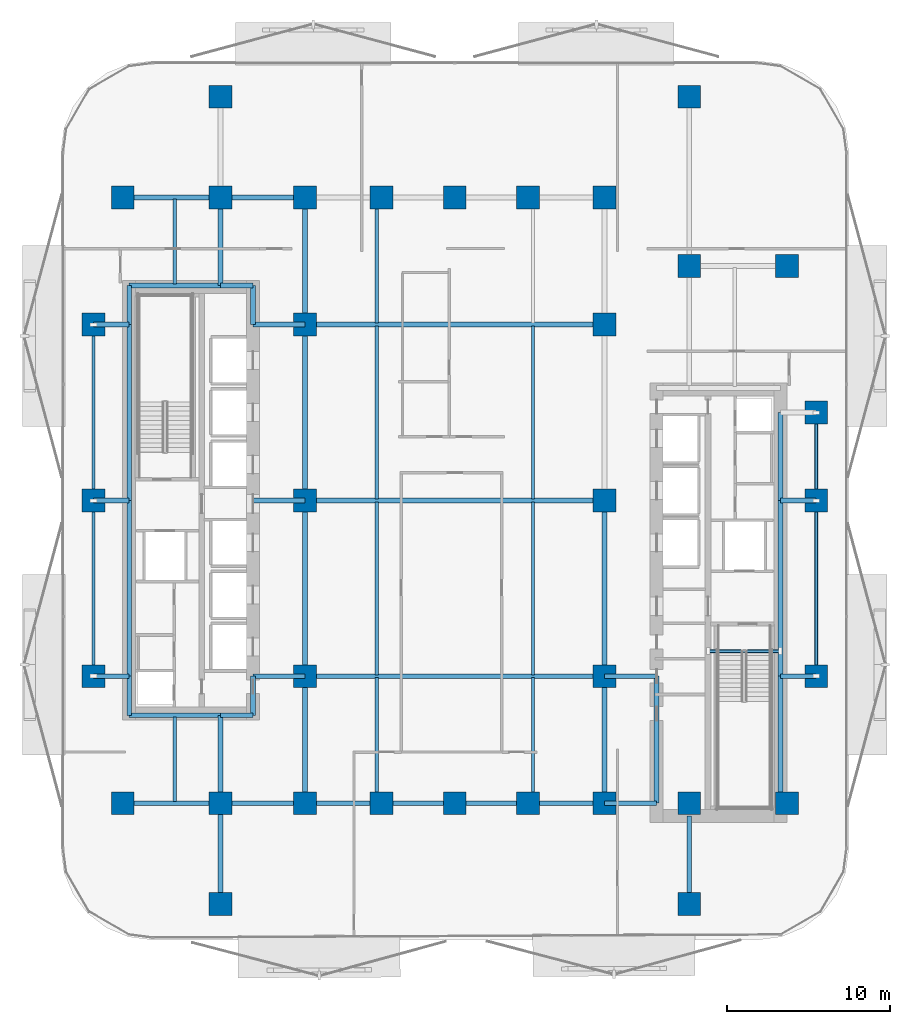
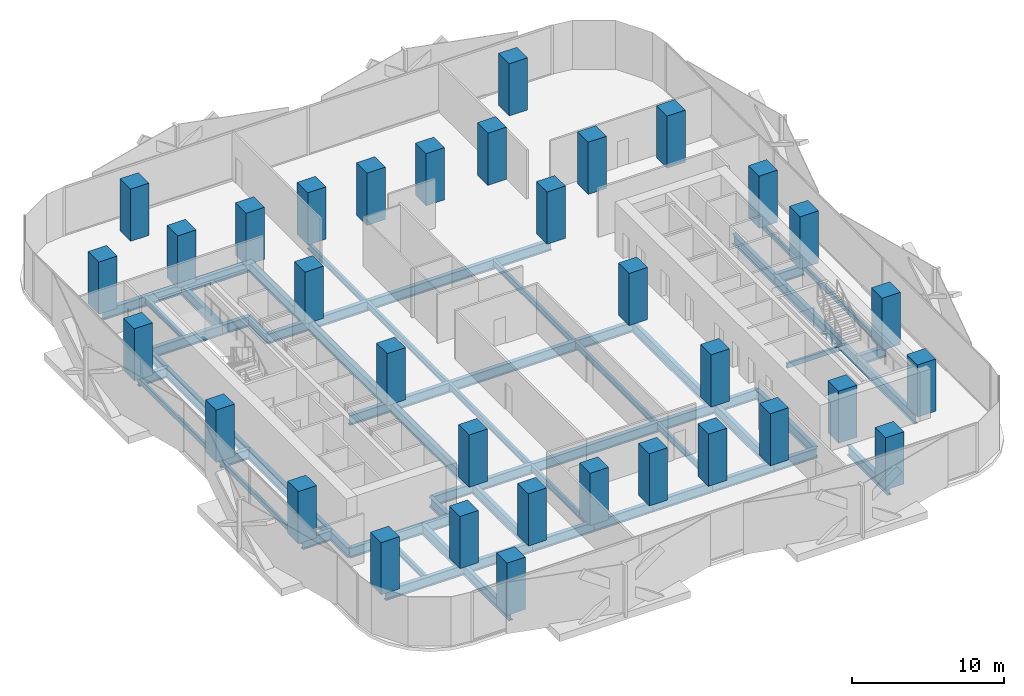
# One storey, part 1 of 16: 59 beams, 34 columns.
"""IFC4 building model written with IfcOpenShell, lengths in metres."""

import ifcopenshell
import ifcopenshell.guid

model = None  # the IFC model being written
_history = None  # IfcOwnerHistory: only IFC2X3 demands one
_inside = {}  # id of a spatial element -> (the spatial element, [elements in it])
_under = {}  # id of a project, library or spatial element -> (it, [spatial elements below it])
_declared = {}  # id of a project -> (the project, [libraries it declares])
_typed = {}  # id of a type object -> (the type object, [elements of that type])
_made_of = {}  # id of a material, layer set ... -> (it, [elements and type objects made of it])


def new_model(schema):
    """Start an empty IFC model of exactly this schema.

    Asked for "IFC4X3", IfcOpenShell would pick the latest addendum, in which some entities
    have other attributes; the version numbers below select the first issue.
    IFC2X3 requires an IfcOwnerHistory on every rooted entity: one is made here for all.
    """
    global model, _history
    if schema == "IFC4X3":
        model = ifcopenshell.file(schema_version=(4, 3, 0, 0))
    else:
        model = ifcopenshell.file(schema=schema)
    _inside.clear()
    _under.clear()
    _declared.clear()
    _typed.clear()
    _made_of.clear()
    _history = None
    if model.schema == "IFC2X3":
        org = make("IfcOrganization", Name="unknown")
        user = make(
            "IfcPersonAndOrganization",
            ThePerson=make("IfcPerson", FamilyName="unknown"),
            TheOrganization=org,
        )
        app = make(
            "IfcApplication",
            ApplicationDeveloper=org,
            Version="unknown",
            ApplicationFullName="unknown",
            ApplicationIdentifier="unknown",
        )
        _history = make(
            "IfcOwnerHistory",
            OwningUser=user,
            OwningApplication=app,
            ChangeAction="ADDED",
            CreationDate=0,
        )
    return model


def make(cls, **values):
    """One entity of the class cls with the attributes given. An attribute that is None is left unset."""
    return model.create_entity(
        cls, **{name: value for name, value in values.items() if value is not None}
    )


def rooted(cls, **values):
    """An entity with a GlobalId (a new one), such as an element, a storey or a relation."""
    return make(cls, GlobalId=ifcopenshell.guid.new(), OwnerHistory=_history, **values)


def si_unit(unit_type, name, prefix=None):
    """IfcSIUnit, for example si_unit("LENGTHUNIT", "METRE", prefix="MILLI")."""
    return make("IfcSIUnit", UnitType=unit_type, Prefix=prefix, Name=name)


def assignment(units):
    """IfcUnitAssignment: the units of a project."""
    return None if units is None else make("IfcUnitAssignment", Units=units)


def point(xyz):
    """IfcCartesianPoint."""
    return None if xyz is None else make("IfcCartesianPoint", Coordinates=xyz)


def direction(xyz):
    """IfcDirection."""
    return None if xyz is None else make("IfcDirection", DirectionRatios=xyz)


def frame(location, z_axis=None, x_axis=None):
    """IfcAxis2Placement3D, a coordinate frame: its origin and axes. An axis left out is left unset."""
    return make(
        "IfcAxis2Placement3D",
        Location=point(location),
        Axis=direction(z_axis),
        RefDirection=direction(x_axis),
    )


def frame_2d(location, x_axis=None):
    """IfcAxis2Placement2D, a coordinate frame in the plane: its origin and x axis."""
    return make(
        "IfcAxis2Placement2D", Location=point(location), RefDirection=direction(x_axis)
    )


def origin():
    """The frame at (0, 0, 0) with its axes left unset."""
    return frame((0.0, 0.0, 0.0))


def origin_2d():
    """The frame at (0, 0) in the plane with its x axis left unset."""
    return frame_2d((0.0, 0.0))


def place(relative_to, where):
    """IfcLocalPlacement: puts the frame where relative to a parent placement (None: the world)."""
    return make(
        "IfcLocalPlacement", PlacementRelTo=relative_to, RelativePlacement=where
    )


def context(
    kind, dimensions, precision=None, world=None, true_north=None, identifier=None
):
    """IfcGeometricRepresentationContext, for example the 3D "Model" context."""
    return make(
        "IfcGeometricRepresentationContext",
        ContextIdentifier=identifier,
        ContextType=kind,
        CoordinateSpaceDimension=dimensions,
        Precision=precision,
        WorldCoordinateSystem=world,
        TrueNorth=true_north,
    )


def subcontext(parent, identifier, kind, view, scale=None):
    """IfcGeometricRepresentationSubContext, for example "Body" below "Model"."""
    return make(
        "IfcGeometricRepresentationSubContext",
        ContextIdentifier=identifier,
        ContextType=kind,
        ParentContext=parent,
        TargetScale=scale,
        TargetView=view,
    )


def project(units=None, contexts=None):
    """IfcProject with its units and contexts."""
    return rooted(
        "IfcProject",
        Name="project",
        RepresentationContexts=contexts,
        UnitsInContext=assignment(units),
    )


def spatial(cls, under=None, at=None, **own):
    """A site, building, storey or space (cls), placed at a placement, below another one or the project."""
    s = rooted(cls, ObjectPlacement=at, **own)
    if under is not None:
        _under.setdefault(under.id(), (under, []))[1].append(s)
    return s


def profile(cls, at=None, kind="AREA", **sizes):
    """A parametric profile (cls). Its sizes go by their IFC names, for example OverallWidth=200.0."""
    return make(cls, ProfileType=kind, Position=at, **sizes)


def rectangle(**sizes):
    """IfcRectangleProfileDef."""
    return profile("IfcRectangleProfileDef", **sizes)


def hollow_rectangle(**sizes):
    """IfcRectangleHollowProfileDef."""
    return profile("IfcRectangleHollowProfileDef", **sizes)


def i_section(**sizes):
    """IfcIShapeProfileDef."""
    return profile("IfcIShapeProfileDef", **sizes)


def extrude(swept, where, along, depth):
    """IfcExtrudedAreaSolid: the profile swept, set in the frame where, extruded along a direction by depth."""
    return make(
        "IfcExtrudedAreaSolid",
        SweptArea=swept,
        Position=where,
        ExtrudedDirection=direction(along),
        Depth=depth,
    )


def shape(context_of_items, identifier, shape_type, items):
    """IfcShapeRepresentation: the items that make up one representation, for example the "Body"."""
    return make(
        "IfcShapeRepresentation",
        ContextOfItems=context_of_items,
        RepresentationIdentifier=identifier,
        RepresentationType=shape_type,
        Items=items,
    )


def material(Name=None, Category=None):
    """IfcMaterial."""
    return make("IfcMaterial", Name=Name, Category=Category)


def material_profile(
    of_material, cross_section, Name=None, Category=None, Priority=None
):
    """IfcMaterialProfile: a cross section and its material."""
    return make(
        "IfcMaterialProfile",
        Name=Name,
        Material=of_material,
        Profile=cross_section,
        Priority=Priority,
        Category=Category,
    )


def profile_set(profiles, Name=None, composite=None):
    """IfcMaterialProfileSet."""
    return make(
        "IfcMaterialProfileSet",
        Name=Name,
        MaterialProfiles=profiles,
        CompositeProfile=composite,
    )


def made_of(thing, what):
    """Note that an element or type object is made of a material, layer set ...; save() writes the relation."""
    if what is not None:
        _made_of.setdefault(what.id(), (what, []))[1].append(thing)
    return thing


def type_object(cls, material=None, **own):
    """A type object (cls), such as IfcWallType, which elements share."""
    return made_of(rooted(cls, **own), material)


def element(
    cls,
    number,
    at=None,
    inside=None,
    cuts=None,
    type_object=None,
    material=None,
    context=None,
    identifier="Body",
    shape_type=None,
    held_by="IfcProductDefinitionShape",
    body=None,
    shapes=None,
    **own,
):
    """One element of the class cls, such as IfcWall. Its Tag is "e" and its number.

    at: its placement. inside: the storey or other place that contains it. cuts: it is an
    opening in that element (IfcRelVoidsElement). A single representation is given by context,
    identifier, shape_type and body (its items); several are given by shapes. held_by: the class
    of the entity that holds the representations. save() writes the other relations.
    """
    e = rooted(cls, Tag="e%d" % number, ObjectPlacement=at, **own)
    if body is not None:
        shapes = [shape(context, identifier, shape_type, body)]
    if shapes is not None:
        e.Representation = make(held_by, Representations=shapes)
    if inside is not None:
        _inside.setdefault(inside.id(), (inside, []))[1].append(e)
    if cuts is not None:
        rooted(
            "IfcRelVoidsElement", RelatingBuildingElement=cuts, RelatedOpeningElement=e
        )
    if type_object is not None:
        _typed.setdefault(type_object.id(), (type_object, []))[1].append(e)
    return made_of(e, material)


def aggregate(whole, parts):
    """IfcRelAggregates: a whole, such as a stair, and the parts it consists of."""
    return rooted("IfcRelAggregates", RelatingObject=whole, RelatedObjects=parts)


def save(model, path):
    """Write the relations noted so far, then the file.

    IfcRelAggregates (storeys below a building ...), IfcRelContainedInSpatialStructure (elements
    in a storey), IfcRelDefinesByType, IfcRelAssociatesMaterial and IfcRelDeclares: one each for
    every whole, place, type object, material and project.
    """
    for whole, parts in _under.values():
        aggregate(whole, parts)
    for where, things in _inside.values():
        rooted(
            "IfcRelContainedInSpatialStructure",
            RelatedElements=things,
            RelatingStructure=where,
        )
    for kind, things in _typed.values():
        rooted("IfcRelDefinesByType", RelatedObjects=things, RelatingType=kind)
    for what, things in _made_of.values():
        rooted("IfcRelAssociatesMaterial", RelatedObjects=things, RelatingMaterial=what)
    for by, libraries in _declared.values():
        rooted("IfcRelDeclares", RelatingContext=by, RelatedDefinitions=libraries)
    model.write(path)


model = new_model("IFC4")

# Units and contexts
model_context = context("Model", 3, precision=1e-05, world=origin(), true_north=direction((0.0, 1.0)))
body_context = subcontext(model_context, "Body", "Model", "MODEL_VIEW")
ifc_project = project(units=[si_unit("LENGTHUNIT", "METRE"), si_unit("AREAUNIT", "SQUARE_METRE"), si_unit("VOLUMEUNIT", "CUBIC_METRE"), si_unit("PLANEANGLEUNIT", "RADIAN"), si_unit("MASSUNIT", "GRAM", prefix="KILO")], contexts=[model_context])

# Site, building, storey
site_placement = place(None, origin())
site = spatial("IfcSite", under=ifc_project, at=site_placement, CompositionType="ELEMENT")
building_placement = place(site_placement, origin())
building = spatial("IfcBuilding", under=site, at=building_placement, Name="Khairoan Windgate Tower", CompositionType="ELEMENT")
storey_placement = place(building_placement, frame((0.0, 0.0, 42.800048828125)))
storey = spatial("IfcBuildingStorey", under=building, at=storey_placement, Name="L10", CompositionType="ELEMENT", Elevation=42.800048828125)

# Columns
ifc_material_1 = material(Name="Concrete C60/75", Category="concrete")
ifc_material_profile_1 = material_profile(ifc_material_1, rectangle(XDim=1.39990234375, YDim=1.39990234375, at=origin_2d()))
ifc_profile_set_1 = profile_set([ifc_material_profile_1], Name="Concrete C60/75")
column_type = type_object("IfcColumnType", Name="Column C-T2 RC1400x1400", PredefinedType="COLUMN", material=ifc_profile_set_1)
for number, where, z_axis, x_axis, name in (
    (1, (-9.199951171875, -18.60009765625, 0.0), (0.0, 0.0, 1.0), (1.0, 0.0, 0.0), "Column L10-01"),
    (2, (-9.199951171875, -10.800048828125, 0.0), (0.0, 0.0, 1.0), (1.0, 0.0, 0.0), "Column L10-02"),
    (3, (-9.199951171875, 0.0, 0.0), (0.0, 0.0, 1.0), (1.0, 0.0, 0.0), "Column L10-03"),
    (4, (-9.199951171875, 10.800048828125, 0.0), (0.0, 0.0, 1.0), (1.0, 0.0, 0.0), "Column L10-04"),
    (5, (-9.199951171875, 18.60009765625, 0.0), (0.0, 0.0, 1.0), (1.0, 0.0, 0.0), "Column L10-05"),
    (6, (9.199951171875, -18.60009765625, 0.0), (0.0, 0.0, 1.0), (1.0, 0.0, 0.0), "Column L10-06"),
    (7, (9.199951171875, -10.800048828125, 0.0), (0.0, 0.0, 1.0), (1.0, 0.0, 0.0), "Column L10-07"),
    (8, (9.199951171875, 0.0, 0.0), (0.0, 0.0, 1.0), (1.0, 0.0, 0.0), "Column L10-08"),
    (9, (9.199951171875, 10.800048828125, 0.0), (0.0, 0.0, 1.0), (1.0, 0.0, 0.0), "Column L10-09"),
    (10, (9.199951171875, 18.60009765625, 0.0), (0.0, 0.0, 1.0), (1.0, 0.0, 0.0), "Column L10-10"),
    (11, (-20.39990234375, -18.60009765625, 0.0), (0.0, 0.0, 1.0), (1.0, 0.0, 0.0), "Column L10-11"),
    (12, (-20.39990234375, 18.60009765625, 0.0), (0.0, 0.0, 1.0), (1.0, 0.0, 0.0), "Column L10-12"),
    (13, (20.39990234375, -18.60009765625, 0.0), (0.0, 0.0, 1.0), (1.0, 0.0, 0.0), "Column L10-13"),
    (14, (20.39990234375, 14.39990234375, 0.0), (0.0, 0.0, 1.0), (1.0, 0.0, 0.0), "Column L10-14"),
    (15, (-14.39990234375, -18.60009765625, 0.0), (0.0, 0.0, 1.0), (1.0, 0.0, 0.0), "Column L10-15"),
    (16, (-14.39990234375, 18.60009765625, 0.0), (0.0, 0.0, 1.0), (1.0, 0.0, 0.0), "Column L10-16"),
    (17, (14.39990234375, -18.60009765625, 0.0), (0.0, 0.0, 1.0), (1.0, 0.0, 0.0), "Column L10-17"),
    (18, (14.39990234375, 14.39990234375, 0.0), (0.0, 0.0, 1.0), (1.0, 0.0, 0.0), "Column L10-18"),
    (19, (-4.5, -18.60009765625, 0.0), (0.0, 0.0, 1.0), (1.0, 0.0, 0.0), "Column L10-19"),
    (20, (0.0, -18.60009765625, 0.0), (0.0, 0.0, 1.0), (1.0, 0.0, 0.0), "Column L10-20"),
    (21, (4.5, -18.60009765625, 0.0), (0.0, 0.0, 1.0), (1.0, 0.0, 0.0), "Column L10-21"),
    (22, (-4.5, 18.60009765625, 0.0), (0.0, 0.0, 1.0), (1.0, 0.0, 0.0), "Column L10-22"),
    (23, (0.0, 18.60009765625, 0.0), (0.0, 0.0, 1.0), (1.0, 0.0, 0.0), "Column L10-23"),
    (24, (4.5, 18.60009765625, 0.0), (0.0, 0.0, 1.0), (1.0, 0.0, 0.0), "Column L10-24"),
    (25, (-22.199951171875, -10.800048828125, 0.0), (0.0, 0.0, 1.0), (1.0, 0.0, 0.0), "Column L10-25"),
    (26, (-22.199951171875, 0.0, 0.0), (0.0, 0.0, 1.0), (1.0, 0.0, 0.0), "Column L10-26"),
    (27, (-22.199951171875, 10.800048828125, 0.0), (0.0, 0.0, 1.0), (1.0, 0.0, 0.0), "Column L10-27"),
    (28, (22.199951171875, -10.800048828125, 0.0), (0.0, 0.0, 1.0), (1.0, 0.0, 0.0), "Column L10-28"),
    (29, (22.199951171875, 0.0, 0.0), (0.0, 0.0, 1.0), (1.0, 0.0, 0.0), "Column L10-29"),
    (30, (22.199951171875, 5.39990234375, 0.0), (0.0, 0.0, 1.0), (1.0, 0.0, 0.0), "Column L10-30"),
    (31, (-14.39990234375, -24.800048828125, 0.0), (0.0, 0.0, 1.0), (1.0, 0.0, 0.0), "Column L10-31"),
    (32, (-14.39990234375, 24.800048828125, 0.0), (0.0, 0.0, 1.0), (1.0, 0.0, 0.0), "Column L10-32"),
    (33, (14.39990234375, -24.800048828125, 0.0), (0.0, 0.0, 1.0), (1.0, 0.0, 0.0), "Column L10-33"),
    (34, (14.39990234375, 24.800048828125, 0.0), (0.0, 0.0, 1.0), (1.0, 0.0, 0.0), "Column L10-34"),
):
    element("IfcColumn", number, at=place(storey_placement, frame(where, z_axis=z_axis, x_axis=x_axis)), inside=storey, type_object=column_type, Name=name, PredefinedType="COLUMN", context=body_context, shape_type="SweptSolid", body=[
        extrude(rectangle(XDim=1.39990234375, YDim=1.39990234375, at=origin_2d()), origin(), (0.0, 0.0, 1.0), 4.199951171875),
    ])

# Beams
ifc_material_2 = material(Name="Steel S355", Category="steel")
ifc_material_profile_2 = material_profile(ifc_material_2, i_section(OverallWidth=0.300048828125, OverallDepth=0.800048828125, WebThickness=0.013916015625, FlangeThickness=0.02587890625, FilletRadius=0.028076171875, at=origin_2d()))
ifc_profile_set_2 = profile_set([ifc_material_profile_2], Name="Steel S355")
beam_type_1 = type_object("IfcBeamType", Name="Beam B-G2 H800x300x14x26", PredefinedType="BEAM", material=ifc_profile_set_2)
beam_1_placement = place(storey_placement, frame((-20.39990234375, -18.60009765625, -0.66015625), z_axis=(1.0, 0.0, 0.0), x_axis=(0.0, 1.0, 0.0)))
element("IfcBeam", 35, at=beam_1_placement, inside=storey, type_object=beam_type_1, Name="L10 E-W Primary Girder 01", PredefinedType="BEAM", context=body_context, shape_type="SweptSolid", body=[
    extrude(i_section(OverallWidth=0.300048828125, OverallDepth=0.800048828125, WebThickness=0.013916015625, FlangeThickness=0.02587890625, FilletRadius=0.028076171875, at=origin_2d()), origin(), (0.0, 0.0, 1.0), 6.0),
])
beam_2_placement = place(storey_placement, frame((-14.39990234375, -18.60009765625, -0.66015625), z_axis=(1.0, 0.0, 0.0), x_axis=(0.0, 1.0, 0.0)))
element("IfcBeam", 36, at=beam_2_placement, inside=storey, type_object=beam_type_1, Name="L10 E-W Primary Girder 02", PredefinedType="BEAM", context=body_context, shape_type="SweptSolid", body=[
    extrude(i_section(OverallWidth=0.300048828125, OverallDepth=0.800048828125, WebThickness=0.013916015625, FlangeThickness=0.02587890625, FilletRadius=0.028076171875, at=origin_2d()), origin(), (0.0, 0.0, 1.0), 5.199951171875),
])
beam_3_placement = place(storey_placement, frame((-9.199951171875, -18.60009765625, -0.66015625), z_axis=(1.0, 0.0, 0.0), x_axis=(0.0, 1.0, 0.0)))
element("IfcBeam", 37, at=beam_3_placement, inside=storey, type_object=beam_type_1, Name="L10 E-W Primary Girder 03", PredefinedType="BEAM", context=body_context, shape_type="SweptSolid", body=[
    extrude(i_section(OverallWidth=0.300048828125, OverallDepth=0.800048828125, WebThickness=0.013916015625, FlangeThickness=0.02587890625, FilletRadius=0.028076171875, at=origin_2d()), origin(), (0.0, 0.0, 1.0), 4.699951171875),
])
for number, where, z_axis, x_axis, name in (
    (38, (-4.5, -18.60009765625, -0.66015625), (1.0, 0.0, 0.0), (0.0, 1.0, 0.0), "L10 E-W Primary Girder 04"),
    (39, (0.0, -18.60009765625, -0.66015625), (1.0, 0.0, 0.0), (0.0, 1.0, 0.0), "L10 E-W Primary Girder 05"),
):
    element("IfcBeam", number, at=place(storey_placement, frame(where, z_axis=z_axis, x_axis=x_axis)), inside=storey, type_object=beam_type_1, Name=name, PredefinedType="BEAM", context=body_context, shape_type="SweptSolid", body=[
        extrude(i_section(OverallWidth=0.300048828125, OverallDepth=0.800048828125, WebThickness=0.013916015625, FlangeThickness=0.02587890625, FilletRadius=0.028076171875, at=origin_2d()), origin(), (0.0, 0.0, 1.0), 4.5),
    ])
beam_4_placement = place(storey_placement, frame((4.5, -18.60009765625, -0.66015625), z_axis=(1.0, 0.0, 0.0), x_axis=(0.0, 1.0, 0.0)))
element("IfcBeam", 40, at=beam_4_placement, inside=storey, type_object=beam_type_1, Name="L10 E-W Primary Girder 06", PredefinedType="BEAM", context=body_context, shape_type="SweptSolid", body=[
    extrude(i_section(OverallWidth=0.300048828125, OverallDepth=0.800048828125, WebThickness=0.013916015625, FlangeThickness=0.02587890625, FilletRadius=0.028076171875, at=origin_2d()), origin(), (0.0, 0.0, 1.0), 4.699951171875),
])
beam_5_placement = place(storey_placement, frame((9.199951171875, -18.60009765625, -0.66015625), z_axis=(1.0, 0.0, 0.0), x_axis=(0.0, 1.0, 0.0)))
element("IfcBeam", 41, at=beam_5_placement, inside=storey, type_object=beam_type_1, Name="L10 E-W Primary Girder 07", PredefinedType="BEAM", context=body_context, shape_type="SweptSolid", body=[
    extrude(i_section(OverallWidth=0.300048828125, OverallDepth=0.800048828125, WebThickness=0.013916015625, FlangeThickness=0.02587890625, FilletRadius=0.028076171875, at=origin_2d()), origin(), (0.0, 0.0, 1.0), 3.199951171875),
])
beam_6_placement = place(storey_placement, frame((-20.0, -13.199951171875, -0.66015625), z_axis=(1.0, 0.0, 0.0), x_axis=(0.0, 1.0, 0.0)))
element("IfcBeam", 42, at=beam_6_placement, inside=storey, type_object=beam_type_1, Name="L10 E-W Primary Girder 08", PredefinedType="BEAM", context=body_context, shape_type="SweptSolid", body=[
    extrude(i_section(OverallWidth=0.300048828125, OverallDepth=0.800048828125, WebThickness=0.013916015625, FlangeThickness=0.02587890625, FilletRadius=0.028076171875, at=origin_2d()), origin(), (0.0, 0.0, 1.0), 5.60009765625),
])
beam_7_placement = place(storey_placement, frame((-14.39990234375, -13.199951171875, -0.66015625), z_axis=(1.0, 0.0, 0.0), x_axis=(0.0, 1.0, 0.0)))
element("IfcBeam", 43, at=beam_7_placement, inside=storey, type_object=beam_type_1, Name="L10 E-W Primary Girder 09", PredefinedType="BEAM", context=body_context, shape_type="SweptSolid", body=[
    extrude(i_section(OverallWidth=0.300048828125, OverallDepth=0.800048828125, WebThickness=0.013916015625, FlangeThickness=0.02587890625, FilletRadius=0.028076171875, at=origin_2d()), origin(), (0.0, 0.0, 1.0), 2.0),
])
beam_8_placement = place(storey_placement, frame((-22.199951171875, -10.800048828125, -0.66015625), z_axis=(1.0, 0.0, 0.0), x_axis=(0.0, 1.0, 0.0)))
element("IfcBeam", 44, at=beam_8_placement, inside=storey, type_object=beam_type_1, Name="L10 E-W Primary Girder 10", PredefinedType="BEAM", context=body_context, shape_type="SweptSolid", body=[
    extrude(i_section(OverallWidth=0.300048828125, OverallDepth=0.800048828125, WebThickness=0.013916015625, FlangeThickness=0.02587890625, FilletRadius=0.028076171875, at=origin_2d()), origin(), (0.0, 0.0, 1.0), 2.199951171875),
])
beam_9_placement = place(storey_placement, frame((-12.39990234375, -10.800048828125, -0.66015625), z_axis=(1.0, 0.0, 0.0), x_axis=(0.0, 1.0, 0.0)))
element("IfcBeam", 45, at=beam_9_placement, inside=storey, type_object=beam_type_1, Name="L10 E-W Primary Girder 11", PredefinedType="BEAM", context=body_context, shape_type="SweptSolid", body=[
    extrude(i_section(OverallWidth=0.300048828125, OverallDepth=0.800048828125, WebThickness=0.013916015625, FlangeThickness=0.02587890625, FilletRadius=0.028076171875, at=origin_2d()), origin(), (0.0, 0.0, 1.0), 3.199951171875),
])
beam_10_placement = place(storey_placement, frame((-9.199951171875, -10.800048828125, -0.66015625), z_axis=(1.0, 0.0, 0.0), x_axis=(0.0, 1.0, 0.0)))
element("IfcBeam", 46, at=beam_10_placement, inside=storey, type_object=beam_type_1, Name="L10 E-W Primary Girder 12", PredefinedType="BEAM", context=body_context, shape_type="SweptSolid", body=[
    extrude(i_section(OverallWidth=0.300048828125, OverallDepth=0.800048828125, WebThickness=0.013916015625, FlangeThickness=0.02587890625, FilletRadius=0.028076171875, at=origin_2d()), origin(), (0.0, 0.0, 1.0), 18.39990234375),
])
beam_11_placement = place(storey_placement, frame((9.199951171875, -10.800048828125, -0.66015625), z_axis=(1.0, 0.0, 0.0), x_axis=(0.0, 1.0, 0.0)))
element("IfcBeam", 47, at=beam_11_placement, inside=storey, type_object=beam_type_1, Name="L10 E-W Primary Girder 13", PredefinedType="BEAM", context=body_context, shape_type="SweptSolid", body=[
    extrude(i_section(OverallWidth=0.300048828125, OverallDepth=0.800048828125, WebThickness=0.013916015625, FlangeThickness=0.02587890625, FilletRadius=0.028076171875, at=origin_2d()), origin(), (0.0, 0.0, 1.0), 3.199951171875),
])
for number, where, z_axis, x_axis, name in (
    (48, (20.0, -10.800048828125, -0.66015625), (1.0, 0.0, 0.0), (0.0, 1.0, 0.0), "L10 E-W Primary Girder 14"),
    (49, (-22.199951171875, 0.0, -0.66015625), (1.0, 0.0, 0.0), (0.0, 1.0, 0.0), "L10 E-W Primary Girder 15"),
):
    element("IfcBeam", number, at=place(storey_placement, frame(where, z_axis=z_axis, x_axis=x_axis)), inside=storey, type_object=beam_type_1, Name=name, PredefinedType="BEAM", context=body_context, shape_type="SweptSolid", body=[
        extrude(i_section(OverallWidth=0.300048828125, OverallDepth=0.800048828125, WebThickness=0.013916015625, FlangeThickness=0.02587890625, FilletRadius=0.028076171875, at=origin_2d()), origin(), (0.0, 0.0, 1.0), 2.199951171875),
    ])
beam_12_placement = place(storey_placement, frame((-12.39990234375, 0.0, -0.66015625), z_axis=(1.0, 0.0, 0.0), x_axis=(0.0, 1.0, 0.0)))
element("IfcBeam", 50, at=beam_12_placement, inside=storey, type_object=beam_type_1, Name="L10 E-W Primary Girder 16", PredefinedType="BEAM", context=body_context, shape_type="SweptSolid", body=[
    extrude(i_section(OverallWidth=0.300048828125, OverallDepth=0.800048828125, WebThickness=0.013916015625, FlangeThickness=0.02587890625, FilletRadius=0.028076171875, at=origin_2d()), origin(), (0.0, 0.0, 1.0), 3.199951171875),
])
beam_13_placement = place(storey_placement, frame((-9.199951171875, 0.0, -0.66015625), z_axis=(1.0, 0.0, 0.0), x_axis=(0.0, 1.0, 0.0)))
element("IfcBeam", 51, at=beam_13_placement, inside=storey, type_object=beam_type_1, Name="L10 E-W Primary Girder 17", PredefinedType="BEAM", context=body_context, shape_type="SweptSolid", body=[
    extrude(i_section(OverallWidth=0.300048828125, OverallDepth=0.800048828125, WebThickness=0.013916015625, FlangeThickness=0.02587890625, FilletRadius=0.028076171875, at=origin_2d()), origin(), (0.0, 0.0, 1.0), 18.39990234375),
])
for number, where, z_axis, x_axis, name in (
    (52, (20.0, 0.0, -0.66015625), (1.0, 0.0, 0.0), (0.0, 1.0, 0.0), "L10 E-W Primary Girder 18"),
    (53, (-22.199951171875, 10.800048828125, -0.66015625), (1.0, 0.0, 0.0), (0.0, 1.0, 0.0), "L10 E-W Primary Girder 22"),
):
    element("IfcBeam", number, at=place(storey_placement, frame(where, z_axis=z_axis, x_axis=x_axis)), inside=storey, type_object=beam_type_1, Name=name, PredefinedType="BEAM", context=body_context, shape_type="SweptSolid", body=[
        extrude(i_section(OverallWidth=0.300048828125, OverallDepth=0.800048828125, WebThickness=0.013916015625, FlangeThickness=0.02587890625, FilletRadius=0.028076171875, at=origin_2d()), origin(), (0.0, 0.0, 1.0), 2.199951171875),
    ])
beam_14_placement = place(storey_placement, frame((-12.39990234375, 10.800048828125, -0.66015625), z_axis=(1.0, 0.0, 0.0), x_axis=(0.0, 1.0, 0.0)))
element("IfcBeam", 54, at=beam_14_placement, inside=storey, type_object=beam_type_1, Name="L10 E-W Primary Girder 23", PredefinedType="BEAM", context=body_context, shape_type="SweptSolid", body=[
    extrude(i_section(OverallWidth=0.300048828125, OverallDepth=0.800048828125, WebThickness=0.013916015625, FlangeThickness=0.02587890625, FilletRadius=0.028076171875, at=origin_2d()), origin(), (0.0, 0.0, 1.0), 3.199951171875),
])
beam_15_placement = place(storey_placement, frame((-9.199951171875, 10.800048828125, -0.66015625), z_axis=(1.0, 0.0, 0.0), x_axis=(0.0, 1.0, 0.0)))
element("IfcBeam", 55, at=beam_15_placement, inside=storey, type_object=beam_type_1, Name="L10 E-W Primary Girder 24", PredefinedType="BEAM", context=body_context, shape_type="SweptSolid", body=[
    extrude(i_section(OverallWidth=0.300048828125, OverallDepth=0.800048828125, WebThickness=0.013916015625, FlangeThickness=0.02587890625, FilletRadius=0.028076171875, at=origin_2d()), origin(), (0.0, 0.0, 1.0), 18.39990234375),
])
beam_16_placement = place(storey_placement, frame((-20.0, 13.199951171875, -0.66015625), z_axis=(1.0, 0.0, 0.0), x_axis=(0.0, 1.0, 0.0)))
element("IfcBeam", 56, at=beam_16_placement, inside=storey, type_object=beam_type_1, Name="L10 E-W Primary Girder 25", PredefinedType="BEAM", context=body_context, shape_type="SweptSolid", body=[
    extrude(i_section(OverallWidth=0.300048828125, OverallDepth=0.800048828125, WebThickness=0.013916015625, FlangeThickness=0.02587890625, FilletRadius=0.028076171875, at=origin_2d()), origin(), (0.0, 0.0, 1.0), 5.60009765625),
])
beam_17_placement = place(storey_placement, frame((-14.39990234375, 13.199951171875, -0.66015625), z_axis=(1.0, 0.0, 0.0), x_axis=(0.0, 1.0, 0.0)))
element("IfcBeam", 57, at=beam_17_placement, inside=storey, type_object=beam_type_1, Name="L10 E-W Primary Girder 26", PredefinedType="BEAM", context=body_context, shape_type="SweptSolid", body=[
    extrude(i_section(OverallWidth=0.300048828125, OverallDepth=0.800048828125, WebThickness=0.013916015625, FlangeThickness=0.02587890625, FilletRadius=0.028076171875, at=origin_2d()), origin(), (0.0, 0.0, 1.0), 2.0),
])
beam_18_placement = place(storey_placement, frame((-20.39990234375, 18.60009765625, -0.66015625), z_axis=(1.0, 0.0, 0.0), x_axis=(0.0, 1.0, 0.0)))
element("IfcBeam", 58, at=beam_18_placement, inside=storey, type_object=beam_type_1, Name="L10 E-W Primary Girder 28", PredefinedType="BEAM", context=body_context, shape_type="SweptSolid", body=[
    extrude(i_section(OverallWidth=0.300048828125, OverallDepth=0.800048828125, WebThickness=0.013916015625, FlangeThickness=0.02587890625, FilletRadius=0.028076171875, at=origin_2d()), origin(), (0.0, 0.0, 1.0), 6.0),
])
beam_19_placement = place(storey_placement, frame((-14.39990234375, 18.60009765625, -0.66015625), z_axis=(1.0, 0.0, 0.0), x_axis=(0.0, 1.0, 0.0)))
element("IfcBeam", 59, at=beam_19_placement, inside=storey, type_object=beam_type_1, Name="L10 E-W Primary Girder 29", PredefinedType="BEAM", context=body_context, shape_type="SweptSolid", body=[
    extrude(i_section(OverallWidth=0.300048828125, OverallDepth=0.800048828125, WebThickness=0.013916015625, FlangeThickness=0.02587890625, FilletRadius=0.028076171875, at=origin_2d()), origin(), (0.0, 0.0, 1.0), 5.199951171875),
])
beam_20_placement = place(storey_placement, frame((-20.0, -13.199951171875, -0.66015625), z_axis=(0.0, 1.0, 0.0), x_axis=(-1.0, 0.0, 0.0)))
element("IfcBeam", 60, at=beam_20_placement, inside=storey, type_object=beam_type_1, Name="L10 N-S Primary Beam 36", PredefinedType="BEAM", context=body_context, shape_type="SweptSolid", body=[
    extrude(i_section(OverallWidth=0.300048828125, OverallDepth=0.800048828125, WebThickness=0.013916015625, FlangeThickness=0.02587890625, FilletRadius=0.028076171875, at=origin_2d()), origin(), (0.0, 0.0, 1.0), 2.39990234375),
])
for number, where, z_axis, x_axis, name in (
    (61, (-20.0, -10.800048828125, -0.66015625), (0.0, 1.0, 0.0), (-1.0, 0.0, 0.0), "L10 N-S Primary Beam 37"),
    (62, (-20.0, 0.0, -0.66015625), (0.0, 1.0, 0.0), (-1.0, 0.0, 0.0), "L10 N-S Primary Beam 38"),
):
    element("IfcBeam", number, at=place(storey_placement, frame(where, z_axis=z_axis, x_axis=x_axis)), inside=storey, type_object=beam_type_1, Name=name, PredefinedType="BEAM", context=body_context, shape_type="SweptSolid", body=[
        extrude(i_section(OverallWidth=0.300048828125, OverallDepth=0.800048828125, WebThickness=0.013916015625, FlangeThickness=0.02587890625, FilletRadius=0.028076171875, at=origin_2d()), origin(), (0.0, 0.0, 1.0), 10.800048828125),
    ])
beam_21_placement = place(storey_placement, frame((-20.0, 10.800048828125, -0.66015625), z_axis=(0.0, 1.0, 0.0), x_axis=(-1.0, 0.0, 0.0)))
element("IfcBeam", 63, at=beam_21_placement, inside=storey, type_object=beam_type_1, Name="L10 N-S Primary Beam 39", PredefinedType="BEAM", context=body_context, shape_type="SweptSolid", body=[
    extrude(i_section(OverallWidth=0.300048828125, OverallDepth=0.800048828125, WebThickness=0.013916015625, FlangeThickness=0.02587890625, FilletRadius=0.028076171875, at=origin_2d()), origin(), (0.0, 0.0, 1.0), 2.39990234375),
])
beam_22_placement = place(storey_placement, frame((-14.39990234375, -24.800048828125, -0.66015625), z_axis=(0.0, 1.0, 0.0), x_axis=(-1.0, 0.0, 0.0)))
element("IfcBeam", 64, at=beam_22_placement, inside=storey, type_object=beam_type_1, Name="L10 N-S Primary Beam 40", PredefinedType="BEAM", context=body_context, shape_type="SweptSolid", body=[
    extrude(i_section(OverallWidth=0.300048828125, OverallDepth=0.800048828125, WebThickness=0.013916015625, FlangeThickness=0.02587890625, FilletRadius=0.028076171875, at=origin_2d()), origin(), (0.0, 0.0, 1.0), 6.199951171875),
])
for number, where, z_axis, x_axis, name in (
    (65, (-14.39990234375, -18.60009765625, -0.66015625), (0.0, 1.0, 0.0), (-1.0, 0.0, 0.0), "L10 N-S Primary Beam 41"),
    (66, (-14.39990234375, 13.199951171875, -0.66015625), (0.0, 1.0, 0.0), (-1.0, 0.0, 0.0), "L10 N-S Primary Beam 42"),
):
    element("IfcBeam", number, at=place(storey_placement, frame(where, z_axis=z_axis, x_axis=x_axis)), inside=storey, type_object=beam_type_1, Name=name, PredefinedType="BEAM", context=body_context, shape_type="SweptSolid", body=[
        extrude(i_section(OverallWidth=0.300048828125, OverallDepth=0.800048828125, WebThickness=0.013916015625, FlangeThickness=0.02587890625, FilletRadius=0.028076171875, at=origin_2d()), origin(), (0.0, 0.0, 1.0), 5.400146484375),
    ])
for number, where, z_axis, x_axis, name in (
    (67, (-12.39990234375, -13.199951171875, -0.66015625), (0.0, 1.0, 0.0), (-1.0, 0.0, 0.0), "L10 N-S Primary Beam 44"),
    (68, (-12.39990234375, 10.800048828125, -0.66015625), (0.0, 1.0, 0.0), (-1.0, 0.0, 0.0), "L10 N-S Primary Beam 45"),
):
    element("IfcBeam", number, at=place(storey_placement, frame(where, z_axis=z_axis, x_axis=x_axis)), inside=storey, type_object=beam_type_1, Name=name, PredefinedType="BEAM", context=body_context, shape_type="SweptSolid", body=[
        extrude(i_section(OverallWidth=0.300048828125, OverallDepth=0.800048828125, WebThickness=0.013916015625, FlangeThickness=0.02587890625, FilletRadius=0.028076171875, at=origin_2d()), origin(), (0.0, 0.0, 1.0), 2.39990234375),
    ])
beam_23_placement = place(storey_placement, frame((-9.199951171875, -18.60009765625, -0.66015625), z_axis=(0.0, 1.0, 0.0), x_axis=(-1.0, 0.0, 0.0)))
element("IfcBeam", 69, at=beam_23_placement, inside=storey, type_object=beam_type_1, Name="L10 N-S Primary Beam 46", PredefinedType="BEAM", context=body_context, shape_type="SweptSolid", body=[
    extrude(i_section(OverallWidth=0.300048828125, OverallDepth=0.800048828125, WebThickness=0.013916015625, FlangeThickness=0.02587890625, FilletRadius=0.028076171875, at=origin_2d()), origin(), (0.0, 0.0, 1.0), 7.800048828125),
])
for number, where, z_axis, x_axis, name in (
    (70, (-9.199951171875, -10.800048828125, -0.66015625), (0.0, 1.0, 0.0), (-1.0, 0.0, 0.0), "L10 N-S Primary Beam 47"),
    (71, (-9.199951171875, 0.0, -0.66015625), (0.0, 1.0, 0.0), (-1.0, 0.0, 0.0), "L10 N-S Primary Beam 48"),
):
    element("IfcBeam", number, at=place(storey_placement, frame(where, z_axis=z_axis, x_axis=x_axis)), inside=storey, type_object=beam_type_1, Name=name, PredefinedType="BEAM", context=body_context, shape_type="SweptSolid", body=[
        extrude(i_section(OverallWidth=0.300048828125, OverallDepth=0.800048828125, WebThickness=0.013916015625, FlangeThickness=0.02587890625, FilletRadius=0.028076171875, at=origin_2d()), origin(), (0.0, 0.0, 1.0), 10.800048828125),
    ])
for number, where, z_axis, x_axis, name in (
    (72, (-9.199951171875, 10.800048828125, -0.66015625), (0.0, 1.0, 0.0), (-1.0, 0.0, 0.0), "L10 N-S Primary Beam 49"),
    (73, (9.199951171875, -18.60009765625, -0.66015625), (0.0, 1.0, 0.0), (-1.0, 0.0, 0.0), "L10 N-S Primary Beam 50"),
):
    element("IfcBeam", number, at=place(storey_placement, frame(where, z_axis=z_axis, x_axis=x_axis)), inside=storey, type_object=beam_type_1, Name=name, PredefinedType="BEAM", context=body_context, shape_type="SweptSolid", body=[
        extrude(i_section(OverallWidth=0.300048828125, OverallDepth=0.800048828125, WebThickness=0.013916015625, FlangeThickness=0.02587890625, FilletRadius=0.028076171875, at=origin_2d()), origin(), (0.0, 0.0, 1.0), 7.800048828125),
    ])
beam_24_placement = place(storey_placement, frame((9.199951171875, -10.800048828125, -0.66015625), z_axis=(0.0, 1.0, 0.0), x_axis=(-1.0, 0.0, 0.0)))
element("IfcBeam", 74, at=beam_24_placement, inside=storey, type_object=beam_type_1, Name="L10 N-S Primary Beam 51", PredefinedType="BEAM", context=body_context, shape_type="SweptSolid", body=[
    extrude(i_section(OverallWidth=0.300048828125, OverallDepth=0.800048828125, WebThickness=0.013916015625, FlangeThickness=0.02587890625, FilletRadius=0.028076171875, at=origin_2d()), origin(), (0.0, 0.0, 1.0), 10.800048828125),
])
beam_25_placement = place(storey_placement, frame((12.39990234375, -18.60009765625, -0.66015625), z_axis=(0.0, 1.0, 0.0), x_axis=(-1.0, 0.0, 0.0)))
element("IfcBeam", 75, at=beam_25_placement, inside=storey, type_object=beam_type_1, Name="L10 N-S Primary Beam 54", PredefinedType="BEAM", context=body_context, shape_type="SweptSolid", body=[
    extrude(i_section(OverallWidth=0.300048828125, OverallDepth=0.800048828125, WebThickness=0.013916015625, FlangeThickness=0.02587890625, FilletRadius=0.028076171875, at=origin_2d()), origin(), (0.0, 0.0, 1.0), 7.800048828125),
])
beam_26_placement = place(storey_placement, frame((14.39990234375, -24.800048828125, -0.66015625), z_axis=(0.0, 1.0, 0.0), x_axis=(-1.0, 0.0, 0.0)))
element("IfcBeam", 76, at=beam_26_placement, inside=storey, type_object=beam_type_1, Name="L10 N-S Primary Beam 55", PredefinedType="BEAM", context=body_context, shape_type="SweptSolid", body=[
    extrude(i_section(OverallWidth=0.300048828125, OverallDepth=0.800048828125, WebThickness=0.013916015625, FlangeThickness=0.02587890625, FilletRadius=0.028076171875, at=origin_2d()), origin(), (0.0, 0.0, 1.0), 5.400146484375),
])
beam_27_placement = place(storey_placement, frame((20.0, -18.60009765625, -0.66015625), z_axis=(0.0, 1.0, 0.0), x_axis=(-1.0, 0.0, 0.0)))
element("IfcBeam", 77, at=beam_27_placement, inside=storey, type_object=beam_type_1, Name="L10 N-S Primary Beam 58", PredefinedType="BEAM", context=body_context, shape_type="SweptSolid", body=[
    extrude(i_section(OverallWidth=0.300048828125, OverallDepth=0.800048828125, WebThickness=0.013916015625, FlangeThickness=0.02587890625, FilletRadius=0.028076171875, at=origin_2d()), origin(), (0.0, 0.0, 1.0), 7.800048828125),
])
beam_28_placement = place(storey_placement, frame((20.0, -10.800048828125, -0.66015625), z_axis=(0.0, 1.0, 0.0), x_axis=(-1.0, 0.0, 0.0)))
element("IfcBeam", 78, at=beam_28_placement, inside=storey, type_object=beam_type_1, Name="L10 N-S Primary Beam 59", PredefinedType="BEAM", context=body_context, shape_type="SweptSolid", body=[
    extrude(i_section(OverallWidth=0.300048828125, OverallDepth=0.800048828125, WebThickness=0.013916015625, FlangeThickness=0.02587890625, FilletRadius=0.028076171875, at=origin_2d()), origin(), (0.0, 0.0, 1.0), 10.800048828125),
])
beam_29_placement = place(storey_placement, frame((20.0, 0.0, -0.66015625), z_axis=(0.0, 1.0, 0.0), x_axis=(-1.0, 0.0, 0.0)))
element("IfcBeam", 79, at=beam_29_placement, inside=storey, type_object=beam_type_1, Name="L10 N-S Primary Beam 60", PredefinedType="BEAM", context=body_context, shape_type="SweptSolid", body=[
    extrude(i_section(OverallWidth=0.300048828125, OverallDepth=0.800048828125, WebThickness=0.013916015625, FlangeThickness=0.02587890625, FilletRadius=0.028076171875, at=origin_2d()), origin(), (0.0, 0.0, 1.0), 5.39990234375),
])
ifc_material_3 = material(Name="Steel S355", Category="steel")
ifc_material_profile_3 = material_profile(ifc_material_3, i_section(OverallWidth=0.199951171875, OverallDepth=0.5, WebThickness=0.010009765625, FlangeThickness=0.01611328125, FilletRadius=0.02001953125, at=origin_2d()))
ifc_profile_set_3 = profile_set([ifc_material_profile_3], Name="Steel S355")
beam_type_2 = type_object("IfcBeamType", Name="Beam J-S2 H500x200x10x16", PredefinedType="JOIST", material=ifc_profile_set_3)
for number, where, z_axis, x_axis, name in (
    (80, (-17.199951171875, -18.510009765625, -0.510009765625), (0.0, 1.0, 0.0), (-1.0, 0.0, 0.0), "L10 Secondary Floor Joist 01"),
    (81, (-17.199951171875, 13.2900390625, -0.510009765625), (0.0, 1.0, 0.0), (-1.0, 0.0, 0.0), "L10 Secondary Floor Joist 02"),
):
    element("IfcBeam", number, at=place(storey_placement, frame(where, z_axis=z_axis, x_axis=x_axis)), inside=storey, type_object=beam_type_2, Name=name, PredefinedType="JOIST", context=body_context, shape_type="SweptSolid", body=[
        extrude(i_section(OverallWidth=0.199951171875, OverallDepth=0.5, WebThickness=0.010009765625, FlangeThickness=0.01611328125, FilletRadius=0.02001953125, at=origin_2d()), origin(), (0.0, 0.0, 1.0), 5.219970703125),
    ])
beam_30_placement = place(storey_placement, frame((-4.800048828125, -18.510009765625, -0.510009765625), z_axis=(0.0, 1.0, 0.0), x_axis=(-1.0, 0.0, 0.0)))
element("IfcBeam", 82, at=beam_30_placement, inside=storey, type_object=beam_type_2, Name="L10 Secondary Floor Joist 03", PredefinedType="JOIST", context=body_context, shape_type="SweptSolid", body=[
    extrude(i_section(OverallWidth=0.199951171875, OverallDepth=0.5, WebThickness=0.010009765625, FlangeThickness=0.01611328125, FilletRadius=0.02001953125, at=origin_2d()), origin(), (0.0, 0.0, 1.0), 7.6201171875),
])
for number, where, z_axis, x_axis, name in (
    (83, (-4.800048828125, -10.7099609375, -0.510009765625), (0.0, 1.0, 0.0), (-1.0, 0.0, 0.0), "L10 Secondary Floor Joist 04"),
    (84, (-4.800048828125, 0.090087890625, -0.510009765625), (0.0, 1.0, 0.0), (-1.0, 0.0, 0.0), "L10 Secondary Floor Joist 05"),
):
    element("IfcBeam", number, at=place(storey_placement, frame(where, z_axis=z_axis, x_axis=x_axis)), inside=storey, type_object=beam_type_2, Name=name, PredefinedType="JOIST", context=body_context, shape_type="SweptSolid", body=[
        extrude(i_section(OverallWidth=0.199951171875, OverallDepth=0.5, WebThickness=0.010009765625, FlangeThickness=0.01611328125, FilletRadius=0.02001953125, at=origin_2d()), origin(), (0.0, 0.0, 1.0), 10.619873046875),
    ])
for number, where, z_axis, x_axis, name in (
    (85, (-4.800048828125, 10.889892578125, -0.510009765625), (0.0, 1.0, 0.0), (-1.0, 0.0, 0.0), "L10 Secondary Floor Joist 06"),
    (86, (4.800048828125, -18.510009765625, -0.510009765625), (0.0, 1.0, 0.0), (-1.0, 0.0, 0.0), "L10 Secondary Floor Joist 07"),
):
    element("IfcBeam", number, at=place(storey_placement, frame(where, z_axis=z_axis, x_axis=x_axis)), inside=storey, type_object=beam_type_2, Name=name, PredefinedType="JOIST", context=body_context, shape_type="SweptSolid", body=[
        extrude(i_section(OverallWidth=0.199951171875, OverallDepth=0.5, WebThickness=0.010009765625, FlangeThickness=0.01611328125, FilletRadius=0.02001953125, at=origin_2d()), origin(), (0.0, 0.0, 1.0), 7.6201171875),
    ])
for number, where, z_axis, x_axis, name in (
    (87, (4.800048828125, -10.7099609375, -0.510009765625), (0.0, 1.0, 0.0), (-1.0, 0.0, 0.0), "L10 Secondary Floor Joist 08"),
    (88, (4.800048828125, 0.090087890625, -0.510009765625), (0.0, 1.0, 0.0), (-1.0, 0.0, 0.0), "L10 Secondary Floor Joist 09"),
):
    element("IfcBeam", number, at=place(storey_placement, frame(where, z_axis=z_axis, x_axis=x_axis)), inside=storey, type_object=beam_type_2, Name=name, PredefinedType="JOIST", context=body_context, shape_type="SweptSolid", body=[
        extrude(i_section(OverallWidth=0.199951171875, OverallDepth=0.5, WebThickness=0.010009765625, FlangeThickness=0.01611328125, FilletRadius=0.02001953125, at=origin_2d()), origin(), (0.0, 0.0, 1.0), 10.619873046875),
    ])
ifc_material_4 = material(Name="Steel S355", Category="steel")
ifc_material_profile_4 = material_profile(ifc_material_4, hollow_rectangle(XDim=0.199951171875, YDim=0.39990234375, WallThickness=0.013916015625, InnerFilletRadius=0.013916015625, OuterFilletRadius=0.028076171875, at=origin_2d()))
ifc_profile_set_4 = profile_set([ifc_material_profile_4], Name="Steel S355")
beam_type_3 = type_object("IfcBeamType", Name="Beam SP-B1 RHS400x200x14", PredefinedType="SPANDREL", material=ifc_profile_set_4)
for number, where, z_axis, x_axis, name in (
    (89, (-22.199951171875, -10.800048828125, -0.4599609375), (0.0, 1.0, 0.0), (-1.0, 0.0, 0.0), "L10 Spandrel Beam 34"),
    (90, (-22.199951171875, 0.0, -0.4599609375), (0.0, 1.0, 0.0), (-1.0, 0.0, 0.0), "L10 Spandrel Beam 35"),
    (91, (22.199951171875, -10.800048828125, -0.4599609375), (0.0, 1.0, 0.0), (-1.0, 0.0, 0.0), "L10 Spandrel Beam 61"),
):
    element("IfcBeam", number, at=place(storey_placement, frame(where, z_axis=z_axis, x_axis=x_axis)), inside=storey, type_object=beam_type_3, Name=name, PredefinedType="SPANDREL", context=body_context, shape_type="SweptSolid", body=[
        extrude(hollow_rectangle(XDim=0.199951171875, YDim=0.39990234375, WallThickness=0.013916015625, InnerFilletRadius=0.013916015625, OuterFilletRadius=0.028076171875, at=origin_2d()), origin(), (0.0, 0.0, 1.0), 10.800048828125),
    ])
beam_31_placement = place(storey_placement, frame((22.199951171875, 0.0, -0.4599609375), z_axis=(0.0, 1.0, 0.0), x_axis=(-1.0, 0.0, 0.0)))
element("IfcBeam", 92, at=beam_31_placement, inside=storey, type_object=beam_type_3, Name="L10 Spandrel Beam 62", PredefinedType="SPANDREL", context=body_context, shape_type="SweptSolid", body=[
    extrude(hollow_rectangle(XDim=0.199951171875, YDim=0.39990234375, WallThickness=0.013916015625, InnerFilletRadius=0.013916015625, OuterFilletRadius=0.028076171875, at=origin_2d()), origin(), (0.0, 0.0, 1.0), 5.39990234375),
])
beam_32_placement = place(storey_placement, frame((15.550048828125, -9.260009765625, -0.4599609375), z_axis=(1.0, 0.0, 0.0), x_axis=(0.0, 1.0, 0.0)))
element("IfcBeam", 93, at=beam_32_placement, inside=storey, type_object=beam_type_3, Name="Stair ST1 Landing Trimmer Beam L10", PredefinedType="SPANDREL", context=body_context, shape_type="SweptSolid", body=[
    extrude(hollow_rectangle(XDim=0.199951171875, YDim=0.39990234375, WallThickness=0.013916015625, InnerFilletRadius=0.013916015625, OuterFilletRadius=0.028076171875, at=origin_2d()), origin(), (0.0, 0.0, 1.0), 4.449951171875),
])

save(model, "model.ifc")
